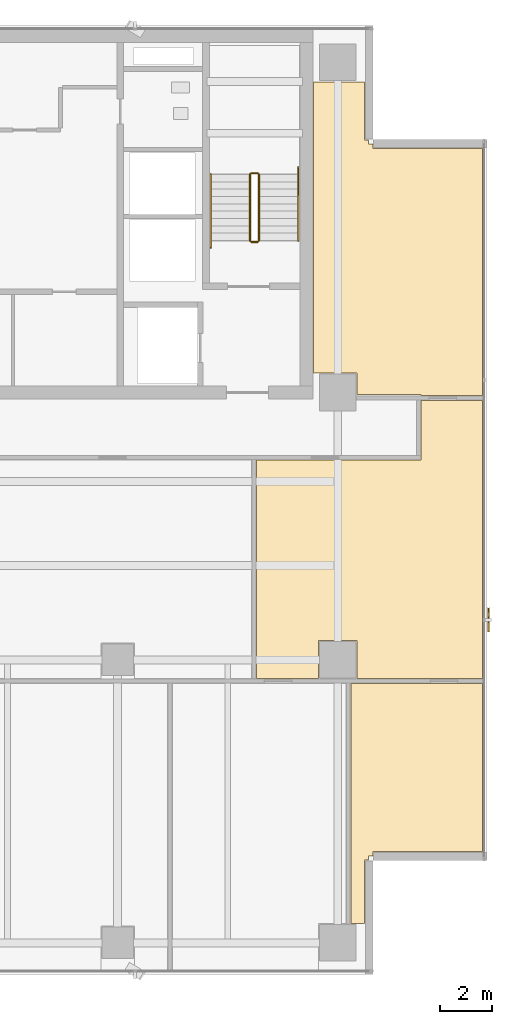
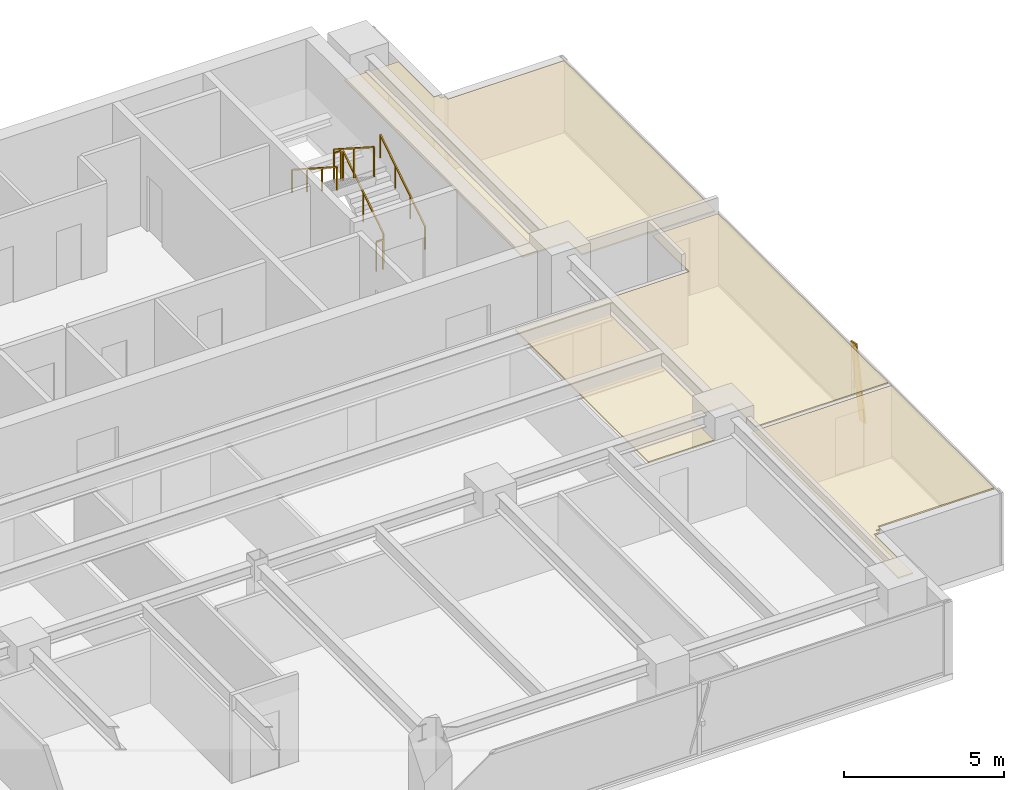
# One storey, part 24 of 26: 6 railings, 3 coverings, 1 shading device.
"""IFC4 building model written with IfcOpenShell, lengths in metres."""

from ifc_helpers import new_model, si_unit, direction, frame, origin, origin_2d, place, context, subcontext, project, spatial, polyline, rectangle, outline, extrude, source, transform, mapped, material, layer, layer_set, material_profile, profile_set, type_object, element, save


model = new_model("IFC4")

# Units and contexts
model_context = context("Model", 3, precision=1e-05, world=origin(), true_north=direction((0.0, 1.0)))
body_context = subcontext(model_context, "Body", "Model", "MODEL_VIEW")
ifc_project = project(units=[si_unit("LENGTHUNIT", "METRE"), si_unit("AREAUNIT", "SQUARE_METRE"), si_unit("VOLUMEUNIT", "CUBIC_METRE"), si_unit("PLANEANGLEUNIT", "RADIAN"), si_unit("MASSUNIT", "GRAM", prefix="KILO")], contexts=[model_context])

# Site, building, storey
site_placement = place(None, origin())
site = spatial("IfcSite", under=ifc_project, at=site_placement, CompositionType="ELEMENT")
building_placement = place(site_placement, origin())
building = spatial("IfcBuilding", under=site, at=building_placement, Name="Sumidabori Civic Tower", CompositionType="ELEMENT")
storey_placement = place(building_placement, frame((0.0, 0.0, 243.199951171875)))
storey = spatial("IfcBuildingStorey", under=building, at=storey_placement, Name="L63", CompositionType="ELEMENT", Elevation=243.199951171875)

# Coverings
ifc_material_1 = material(Name="Anodised Bronze Baffle Ceiling")
ifc_layer = layer(ifc_material_1, 0.054931640625, Name="Anodised Bronze Baffle Ceiling")
ifc_layer_set = layer_set([ifc_layer], Name="Anodised Bronze Baffle Ceiling")
covering_type = type_object("IfcCoveringType", Name="CV-CEIL-AC3", PredefinedType="CEILING", material=ifc_layer_set)
covering_1_placement = place(storey_placement, frame((0.0, 0.0, 2.719970703125)))
element("IfcCovering", 1, at=covering_1_placement, inside=storey, type_object=covering_type, Name="Room Acoustic Ceiling L63-02", PredefinedType="CEILING", context=body_context, shape_type="SweptSolid", body=[
    extrude(outline(polyline([(17.822021484375, 22.06005859375), (17.822021484375, 19.842041015625), (17.97998046875, 19.842041015625), (17.97998046875, 19.679931640625), (18.14208984375, 19.679931640625), (18.14208984375, 19.52197265625), (22.330078125, 19.52197265625), (22.330078125, 10.094970703125), (19.969970703125, 10.094970703125), (19.969970703125, 10.1201171875), (17.5400390625, 10.1201171875), (17.5400390625, 10.93994140625), (15.8779296875, 10.93994140625), (15.8779296875, 22.06005859375), (17.822021484375, 22.06005859375)])), origin(), (0.0, 0.0, 1.0), 0.05517578125),
])
covering_2_placement = place(storey_placement, frame((0.0, 0.0, 2.719970703125)))
element("IfcCovering", 2, at=covering_2_placement, inside=storey, type_object=covering_type, Name="Room Acoustic Ceiling L63-04", PredefinedType="CEILING", context=body_context, shape_type="SweptSolid", body=[
    extrude(outline(polyline([(13.695068359375, 7.6298828125), (19.969970703125, 7.6298828125), (19.969970703125, 9.905029296875), (22.330078125, 9.905029296875), (22.330078125, -0.705078125), (17.5400390625, -0.705078125), (17.5400390625, 0.739990234375), (16.06005859375, 0.739990234375), (16.06005859375, -0.705078125), (13.695068359375, -0.705078125), (13.695068359375, 7.6298828125)])), origin(), (0.0, 0.0, 1.0), 0.05517578125),
])
covering_3_placement = place(storey_placement, frame((0.0, 0.0, 2.719970703125)))
element("IfcCovering", 3, at=covering_3_placement, inside=storey, type_object=covering_type, Name="Room Acoustic Ceiling L63-10", PredefinedType="CEILING", context=body_context, shape_type="SweptSolid", body=[
    extrude(outline(polyline([(22.330078125, -0.89501953125), (22.330078125, -7.322021484375), (18.14208984375, -7.322021484375), (18.14208984375, -7.47998046875), (17.97998046875, -7.47998046875), (17.97998046875, -7.64208984375), (17.822021484375, -7.64208984375), (17.822021484375, -10.06005859375), (17.294921875, -10.06005859375), (17.294921875, -0.89501953125), (22.330078125, -0.89501953125)])), origin(), (0.0, 0.0, 1.0), 0.05517578125),
])

# Railings
ifc_material_2 = material(Name="Stainless Steel Hairline Finish", Category="steel")
railing_type_1 = type_object("IfcRailingType", Name="RL-HANDRAIL", PredefinedType="HANDRAIL", material=ifc_material_2)
railing_1_placement = place(storey_placement, frame((15.2900390625, 16.0, 0.179931640625)))
element("IfcRailing", 4, at=railing_1_placement, inside=storey, type_object=railing_type_1, Name="L63 ST-2 stair handrail 1", PredefinedType="HANDRAIL", context=body_context, shape_type="SweptSolid", body=[
    extrude(rectangle(XDim=0.048095703125, YDim=0.048095703125, at=origin_2d()), frame((0.0, 0.0, 0.8759765625), z_axis=(0.0, 0.84064222762, 0.54159084662), x_axis=(-1.0, 0.0, 0.0)), (0.0, 0.0, 1.0), 3.330810546875),
    extrude(rectangle(XDim=0.0419921875, YDim=0.0419921875, at=origin_2d()), origin(), (0.0, 0.0, 1.0), 0.851806640625),
    extrude(rectangle(XDim=0.0419921875, YDim=0.0419921875, at=origin_2d()), frame((0.0, 0.933349609375, 0.601318359375)), (0.0, 0.0, 1.0), 0.851806640625),
    extrude(rectangle(XDim=0.0419921875, YDim=0.0419921875, at=origin_2d()), frame((0.0, 1.86669921875, 1.20263671875)), (0.0, 0.0, 1.0), 0.851806640625),
    extrude(rectangle(XDim=0.0419921875, YDim=0.0419921875, at=origin_2d()), frame((0.0, 2.800048828125, 1.803955078125)), (0.0, 0.0, 1.0), 0.851806640625),
])
railing_2_placement = place(storey_placement, frame((11.949951171875, 18.52001953125, 1.97998046875)))
element("IfcRailing", 5, at=railing_2_placement, inside=storey, type_object=railing_type_1, Name="L63 ST-2 stair handrail 2", PredefinedType="HANDRAIL", context=body_context, shape_type="SweptSolid", body=[
    extrude(rectangle(XDim=0.048095703125, YDim=0.048095703125, at=origin_2d()), frame((0.0, 0.0, 0.8759765625), z_axis=(0.0, -0.84064222762, 0.54159084662), x_axis=(1.0, 0.0, 0.0)), (0.0, 0.0, 1.0), 3.330810546875),
    extrude(rectangle(XDim=0.0419921875, YDim=0.0419921875, at=origin_2d()), origin(), (0.0, 0.0, 1.0), 0.851806640625),
    extrude(rectangle(XDim=0.0419921875, YDim=0.0419921875, at=origin_2d()), frame((0.0, -0.933349609375, 0.601318359375)), (0.0, 0.0, 1.0), 0.851806640625),
    extrude(rectangle(XDim=0.0419921875, YDim=0.0419921875, at=origin_2d()), frame((0.0, -1.86669921875, 1.20263671875)), (0.0, 0.0, 1.0), 0.851806640625),
    extrude(rectangle(XDim=0.0419921875, YDim=0.0419921875, at=origin_2d()), frame((0.0, -2.800048828125, 1.803955078125)), (0.0, 0.0, 1.0), 0.851806640625),
])
ifc_material_3 = material(Name="Steel SN490", Category="steel")
railing_type_2 = type_object("IfcRailingType", Name="RL-STAIR-GUARD", PredefinedType="GUARDRAIL", material=ifc_material_3)
railing_3_placement = place(storey_placement, frame((13.7900390625, 16.0, 0.179931640625)))
element("IfcRailing", 6, at=railing_3_placement, inside=storey, type_object=railing_type_2, Name="L63 ST-2 stair guard 1", PredefinedType="GUARDRAIL", context=body_context, shape_type="SweptSolid", body=[
    extrude(rectangle(XDim=0.048095703125, YDim=0.048095703125, at=origin_2d()), frame((0.0, 0.0, 1.1259765625), z_axis=(0.0, 0.841162588446, 0.540782303519), x_axis=(-1.0, 0.0, 0.0)), (0.0, 0.0, 1.0), 2.995849609375),
    extrude(rectangle(XDim=0.0419921875, YDim=0.0419921875, at=origin_2d()), origin(), (0.0, 0.0, 1.0), 1.101806640625),
    extrude(rectangle(XDim=0.0419921875, YDim=0.0419921875, at=origin_2d()), frame((0.0, 1.260009765625, 0.81005859375)), (0.0, 0.0, 1.0), 1.101806640625),
    extrude(rectangle(XDim=0.0419921875, YDim=0.0419921875, at=origin_2d()), frame((0.0, 2.52001953125, 1.6201171875)), (0.0, 0.0, 1.0), 1.101806640625),
])
railing_4_placement = place(storey_placement, frame((13.739990234375, 18.570068359375, 1.800048828125)))
element("IfcRailing", 7, at=railing_4_placement, inside=storey, type_object=railing_type_2, Name="L63 ST-2 stair guard 2", PredefinedType="GUARDRAIL", context=body_context, shape_type="SweptSolid", body=[
    extrude(rectangle(XDim=0.048095703125, YDim=0.048095703125, at=origin_2d()), frame((0.0, 0.0, 1.1259765625), z_axis=(-1.0, 0.0, 0.0), x_axis=(0.0, -1.0, 0.0)), (0.0, 0.0, 1.0), 0.239990234375),
    extrude(rectangle(XDim=0.0419921875, YDim=0.0419921875, at=origin_2d()), origin(), (0.0, 0.0, 1.0), 1.101806640625),
    extrude(rectangle(XDim=0.0419921875, YDim=0.0419921875, at=origin_2d()), frame((-0.239990234375, 0.0, 0.0)), (0.0, 0.0, 1.0), 1.101806640625),
])
railing_5_placement = place(storey_placement, frame((13.449951171875, 18.52001953125, 1.97998046875)))
element("IfcRailing", 8, at=railing_5_placement, inside=storey, type_object=railing_type_2, Name="L63 ST-2 stair guard 3", PredefinedType="GUARDRAIL", context=body_context, shape_type="SweptSolid", body=[
    extrude(rectangle(XDim=0.048095703125, YDim=0.048095703125, at=origin_2d()), frame((0.0, 0.0, 1.1259765625), z_axis=(0.0, -0.841162588446, 0.540782303519), x_axis=(1.0, 0.0, 0.0)), (0.0, 0.0, 1.0), 2.995849609375),
    extrude(rectangle(XDim=0.0419921875, YDim=0.0419921875, at=origin_2d()), origin(), (0.0, 0.0, 1.0), 1.101806640625),
    extrude(rectangle(XDim=0.0419921875, YDim=0.0419921875, at=origin_2d()), frame((0.0, -1.260009765625, 0.81005859375)), (0.0, 0.0, 1.0), 1.101806640625),
    extrude(rectangle(XDim=0.0419921875, YDim=0.0419921875, at=origin_2d()), frame((0.0, -2.52001953125, 1.6201171875)), (0.0, 0.0, 1.0), 1.101806640625),
])
railing_6_placement = place(storey_placement, frame((13.739990234375, 15.949951171875, 0.0)))
element("IfcRailing", 9, at=railing_6_placement, inside=storey, type_object=railing_type_2, Name="L63 ST-2 stair guard 4", PredefinedType="GUARDRAIL", context=body_context, shape_type="SweptSolid", body=[
    extrude(rectangle(XDim=0.048095703125, YDim=0.048095703125, at=origin_2d()), frame((0.0, 0.0, 1.1259765625), z_axis=(-1.0, 0.0, 0.0), x_axis=(0.0, -1.0, 0.0)), (0.0, 0.0, 1.0), 0.239990234375),
    extrude(rectangle(XDim=0.0419921875, YDim=0.0419921875, at=origin_2d()), origin(), (0.0, 0.0, 1.0), 1.101806640625),
    extrude(rectangle(XDim=0.0419921875, YDim=0.0419921875, at=origin_2d()), frame((-0.239990234375, 0.0, 0.0)), (0.0, 0.0, 1.0), 1.101806640625),
])

# Shading device
ifc_material_4 = material(Name="Anodised Bronze Aluminium AW-6063-T6", Category="aluminium")
ifc_material_profile = material_profile(ifc_material_4, rectangle(XDim=0.054931640625, YDim=0.360107421875, at=origin_2d()), Name="BRONZE FIN 360x55")
ifc_profile_set = profile_set([ifc_material_profile], Name="Anodised Bronze Aluminium AW-6063-T6")
shading_device_type = type_object("IfcShadingDeviceType", Name="SH-FIN-360", PredefinedType="USERDEFINED", material=ifc_profile_set)
shared_shape = source(origin(), body_context, "Body", "SweptSolid", [
    extrude(rectangle(XDim=0.054931640625, YDim=0.360107421875, at=origin_2d()), origin(), (0.0, 0.0, 1.0), 2.74755859375),
])
shading_device_placement = place(storey_placement, frame((22.550048828125, 1.24658203125, 0.02001953125), z_axis=(0.0, 0.20383361069, 0.979005546028), x_axis=(-1.0, 0.0, 0.0)))
element("IfcShadingDevice", 10, at=shading_device_placement, inside=storey, type_object=shading_device_type, Name="Bronze Anodised Diagonal Fin L63-01", ObjectType="FIN", PredefinedType="USERDEFINED", context=body_context, shape_type="MappedRepresentation", body=[
    mapped(shared_shape, transform((0.0, 0.0, 0.0), x_axis=(1.0, 0.0, 0.0), y_axis=(0.0, 1.0, 0.0), z_axis=(0.0, 0.0, 1.0), scale=1.0)),
])

save(model, "model.ifc")
